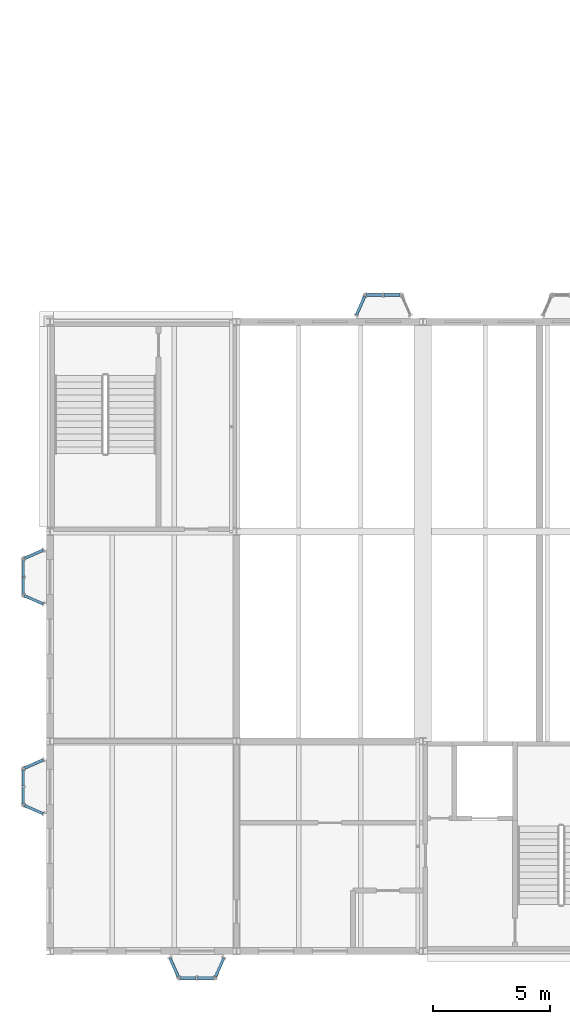
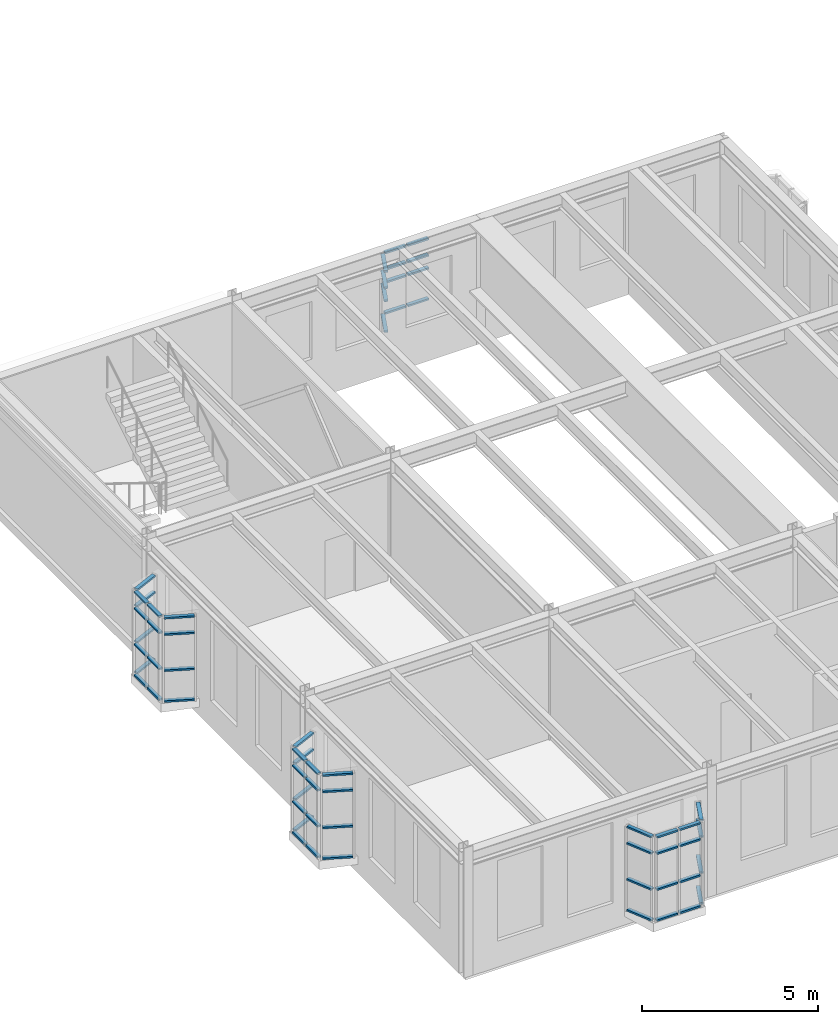
# One storey, part 75 of 153: 60 members, 11 elements without a shape of their own.
"""IFC4 building model written with IfcOpenShell, lengths in metres."""

from ifc_helpers import new_model, si_unit, direction, frame, origin, origin_2d, place, context, subcontext, project, spatial, hollow_rectangle, extrude, material, material_profile, profile_set, type_object, element, aggregate, save


model = new_model("IFC4")

# Units and contexts
model_context = context("Model", 3, precision=1e-05, world=origin(), true_north=direction((0.0, 1.0)))
body_context = subcontext(model_context, "Body", "Model", "MODEL_VIEW")
ifc_project = project(units=[si_unit("LENGTHUNIT", "METRE"), si_unit("AREAUNIT", "SQUARE_METRE"), si_unit("VOLUMEUNIT", "CUBIC_METRE"), si_unit("PLANEANGLEUNIT", "RADIAN"), si_unit("MASSUNIT", "GRAM", prefix="KILO")], contexts=[model_context])

# Site, building, storey
site_placement = place(None, origin())
site = spatial("IfcSite", under=ifc_project, at=site_placement, CompositionType="ELEMENT")
building_placement = place(site_placement, origin())
building = spatial("IfcBuilding", under=site, at=building_placement, Name="Kallimachos Central Library", CompositionType="ELEMENT")
storey_placement = place(building_placement, frame((0.0, 0.0, 5.39990234375)))
storey = spatial("IfcBuildingStorey", under=building, at=storey_placement, Name="L01", CompositionType="ELEMENT", Elevation=5.39990234375)

# Curtain wall, members
ifc_material_1 = material(Name="Laminated glass in anodised aluminium", Category="aluminium")
curtain_wall_type = type_object("IfcCurtainWallType", Name="Foyer curtain wall", PredefinedType="NOTDEFINED", material=ifc_material_1)
curtain_wall_1_placement = place(storey_placement, origin())
curtain_wall_1 = element("IfcCurtainWall", 1, at=curtain_wall_1_placement, inside=storey, type_object=curtain_wall_type, Name="Tribune bay return west", PredefinedType="NOTDEFINED")
ifc_material_2 = material(Name="Anodised aluminium", Category="aluminium")
ifc_material_profile = material_profile(ifc_material_2, hollow_rectangle(XDim=0.06005859375, YDim=0.1201171875, WallThickness=0.00390625, at=origin_2d()), Name="ALU TRANSOM 60x120")
ifc_profile_set = profile_set([ifc_material_profile], Name="Anodised aluminium")
member_type = type_object("IfcMemberType", Name="ALU TRANSOM 60x120 transom", PredefinedType="USERDEFINED", material=ifc_profile_set)
member_1_placement = place(storey_placement, frame((5.695068359375, 23.8994140625, 0.630126953125), z_axis=(-0.913776622619, 0.406217040454, 0.0), x_axis=(0.0, 0.0, 1.0)))
member_1 = element("IfcMember", 2, at=member_1_placement, type_object=member_type, Name="CW transom 1.1", ObjectType="TRANSOM", PredefinedType="USERDEFINED", context=body_context, shape_type="SweptSolid", body=[
    extrude(hollow_rectangle(XDim=0.06005859375, YDim=0.1201171875, WallThickness=0.00390625, at=origin_2d()), origin(), (0.0, 0.0, 1.0), 0.86474609375),
])
member_2_placement = place(storey_placement, frame((5.695068359375, 23.8994140625, 1.7001953125), z_axis=(-0.913776622619, 0.406217040454, 0.0), x_axis=(0.0, 0.0, 1.0)))
member_2 = element("IfcMember", 3, at=member_2_placement, type_object=member_type, Name="CW transom 1.2", ObjectType="TRANSOM", PredefinedType="USERDEFINED", context=body_context, shape_type="SweptSolid", body=[
    extrude(hollow_rectangle(XDim=0.06005859375, YDim=0.1201171875, WallThickness=0.00390625, at=origin_2d()), origin(), (0.0, 0.0, 1.0), 0.86474609375),
])
member_3_placement = place(storey_placement, frame((5.695068359375, 23.8994140625, 2.9501953125), z_axis=(-0.913776622619, 0.406217040454, 0.0), x_axis=(0.0, 0.0, 1.0)))
member_3 = element("IfcMember", 4, at=member_3_placement, type_object=member_type, Name="CW transom 1.3", ObjectType="TRANSOM", PredefinedType="USERDEFINED", context=body_context, shape_type="SweptSolid", body=[
    extrude(hollow_rectangle(XDim=0.06005859375, YDim=0.1201171875, WallThickness=0.00390625, at=origin_2d()), origin(), (0.0, 0.0, 1.0), 0.86474609375),
])
member_4_placement = place(storey_placement, frame((5.695068359375, 23.8994140625, 3.52001953125), z_axis=(-0.913776622619, 0.406217040454, 0.0), x_axis=(0.0, 0.0, 1.0)))
member_4 = element("IfcMember", 5, at=member_4_placement, type_object=member_type, Name="CW transom 1.4", ObjectType="TRANSOM", PredefinedType="USERDEFINED", context=body_context, shape_type="SweptSolid", body=[
    extrude(hollow_rectangle(XDim=0.06005859375, YDim=0.1201171875, WallThickness=0.00390625, at=origin_2d()), origin(), (0.0, 0.0, 1.0), 0.86474609375),
])
aggregate(curtain_wall_1, [member_1, member_2, member_3, member_4])

curtain_wall_2_placement = place(storey_placement, origin())
curtain_wall_2 = element("IfcCurtainWall", 6, at=curtain_wall_2_placement, inside=storey, type_object=curtain_wall_type, Name="Tribune bay front", PredefinedType="NOTDEFINED")
member_5_placement = place(storey_placement, frame((4.85009765625, 24.3349609375, 0.630126953125), z_axis=(0.0, 1.0, 0.0), x_axis=(0.0, 0.0, 1.0)))
member_5 = element("IfcMember", 7, at=member_5_placement, type_object=member_type, Name="CW transom 1.1", ObjectType="TRANSOM", PredefinedType="USERDEFINED", context=body_context, shape_type="SweptSolid", body=[
    extrude(hollow_rectangle(XDim=0.06005859375, YDim=0.1201171875, WallThickness=0.00390625, at=origin_2d()), origin(), (0.0, 0.0, 1.0), 0.68505859375),
])
member_6_placement = place(storey_placement, frame((4.85009765625, 24.3349609375, 1.7001953125), z_axis=(0.0, 1.0, 0.0), x_axis=(0.0, 0.0, 1.0)))
member_6 = element("IfcMember", 8, at=member_6_placement, type_object=member_type, Name="CW transom 1.2", ObjectType="TRANSOM", PredefinedType="USERDEFINED", context=body_context, shape_type="SweptSolid", body=[
    extrude(hollow_rectangle(XDim=0.06005859375, YDim=0.1201171875, WallThickness=0.00390625, at=origin_2d()), origin(), (0.0, 0.0, 1.0), 0.68505859375),
])
member_7_placement = place(storey_placement, frame((4.85009765625, 24.3349609375, 2.9501953125), z_axis=(0.0, 1.0, 0.0), x_axis=(0.0, 0.0, 1.0)))
member_7 = element("IfcMember", 9, at=member_7_placement, type_object=member_type, Name="CW transom 1.3", ObjectType="TRANSOM", PredefinedType="USERDEFINED", context=body_context, shape_type="SweptSolid", body=[
    extrude(hollow_rectangle(XDim=0.06005859375, YDim=0.1201171875, WallThickness=0.00390625, at=origin_2d()), origin(), (0.0, 0.0, 1.0), 0.68505859375),
])
member_8_placement = place(storey_placement, frame((4.85009765625, 24.3349609375, 3.52001953125), z_axis=(0.0, 1.0, 0.0), x_axis=(0.0, 0.0, 1.0)))
member_8 = element("IfcMember", 10, at=member_8_placement, type_object=member_type, Name="CW transom 1.4", ObjectType="TRANSOM", PredefinedType="USERDEFINED", context=body_context, shape_type="SweptSolid", body=[
    extrude(hollow_rectangle(XDim=0.06005859375, YDim=0.1201171875, WallThickness=0.00390625, at=origin_2d()), origin(), (0.0, 0.0, 1.0), 0.68505859375),
])
member_9_placement = place(storey_placement, frame((4.85009765625, 25.080078125, 0.630126953125), z_axis=(0.0, 1.0, 0.0), x_axis=(0.0, 0.0, 1.0)))
member_9 = element("IfcMember", 11, at=member_9_placement, type_object=member_type, Name="CW transom 2.1", ObjectType="TRANSOM", PredefinedType="USERDEFINED", context=body_context, shape_type="SweptSolid", body=[
    extrude(hollow_rectangle(XDim=0.06005859375, YDim=0.1201171875, WallThickness=0.00390625, at=origin_2d()), origin(), (0.0, 0.0, 1.0), 0.684814453125),
])
member_10_placement = place(storey_placement, frame((4.85009765625, 25.080078125, 1.7001953125), z_axis=(0.0, 1.0, 0.0), x_axis=(0.0, 0.0, 1.0)))
member_10 = element("IfcMember", 12, at=member_10_placement, type_object=member_type, Name="CW transom 2.2", ObjectType="TRANSOM", PredefinedType="USERDEFINED", context=body_context, shape_type="SweptSolid", body=[
    extrude(hollow_rectangle(XDim=0.06005859375, YDim=0.1201171875, WallThickness=0.00390625, at=origin_2d()), origin(), (0.0, 0.0, 1.0), 0.684814453125),
])
member_11_placement = place(storey_placement, frame((4.85009765625, 25.080078125, 2.9501953125), z_axis=(0.0, 1.0, 0.0), x_axis=(0.0, 0.0, 1.0)))
member_11 = element("IfcMember", 13, at=member_11_placement, type_object=member_type, Name="CW transom 2.3", ObjectType="TRANSOM", PredefinedType="USERDEFINED", context=body_context, shape_type="SweptSolid", body=[
    extrude(hollow_rectangle(XDim=0.06005859375, YDim=0.1201171875, WallThickness=0.00390625, at=origin_2d()), origin(), (0.0, 0.0, 1.0), 0.684814453125),
])
member_12_placement = place(storey_placement, frame((4.85009765625, 25.080078125, 3.52001953125), z_axis=(0.0, 1.0, 0.0), x_axis=(0.0, 0.0, 1.0)))
member_12 = element("IfcMember", 14, at=member_12_placement, type_object=member_type, Name="CW transom 2.4", ObjectType="TRANSOM", PredefinedType="USERDEFINED", context=body_context, shape_type="SweptSolid", body=[
    extrude(hollow_rectangle(XDim=0.06005859375, YDim=0.1201171875, WallThickness=0.00390625, at=origin_2d()), origin(), (0.0, 0.0, 1.0), 0.684814453125),
])
aggregate(curtain_wall_2, [member_5, member_6, member_7, member_8, member_9, member_10, member_11, member_12])

curtain_wall_3_placement = place(storey_placement, origin())
curtain_wall_3 = element("IfcCurtainWall", 15, at=curtain_wall_3_placement, inside=storey, type_object=curtain_wall_type, Name="Tribune bay return east", PredefinedType="NOTDEFINED")
member_13_placement = place(storey_placement, frame((4.90478515625, 25.849365234375, 0.630126953125), z_axis=(0.913776622619, 0.406217040454, 0.0), x_axis=(0.0, 0.0, 1.0)))
member_13 = element("IfcMember", 16, at=member_13_placement, type_object=member_type, Name="CW transom 1.1", ObjectType="TRANSOM", PredefinedType="USERDEFINED", context=body_context, shape_type="SweptSolid", body=[
    extrude(hollow_rectangle(XDim=0.06005859375, YDim=0.1201171875, WallThickness=0.00390625, at=origin_2d()), origin(), (0.0, 0.0, 1.0), 0.86474609375),
])
member_14_placement = place(storey_placement, frame((4.90478515625, 25.849365234375, 1.7001953125), z_axis=(0.913776622619, 0.406217040454, 0.0), x_axis=(0.0, 0.0, 1.0)))
member_14 = element("IfcMember", 17, at=member_14_placement, type_object=member_type, Name="CW transom 1.2", ObjectType="TRANSOM", PredefinedType="USERDEFINED", context=body_context, shape_type="SweptSolid", body=[
    extrude(hollow_rectangle(XDim=0.06005859375, YDim=0.1201171875, WallThickness=0.00390625, at=origin_2d()), origin(), (0.0, 0.0, 1.0), 0.86474609375),
])
member_15_placement = place(storey_placement, frame((4.90478515625, 25.849365234375, 2.9501953125), z_axis=(0.913776622619, 0.406217040454, 0.0), x_axis=(0.0, 0.0, 1.0)))
member_15 = element("IfcMember", 18, at=member_15_placement, type_object=member_type, Name="CW transom 1.3", ObjectType="TRANSOM", PredefinedType="USERDEFINED", context=body_context, shape_type="SweptSolid", body=[
    extrude(hollow_rectangle(XDim=0.06005859375, YDim=0.1201171875, WallThickness=0.00390625, at=origin_2d()), origin(), (0.0, 0.0, 1.0), 0.86474609375),
])
member_16_placement = place(storey_placement, frame((4.90478515625, 25.849365234375, 3.52001953125), z_axis=(0.913776622619, 0.406217040454, 0.0), x_axis=(0.0, 0.0, 1.0)))
member_16 = element("IfcMember", 19, at=member_16_placement, type_object=member_type, Name="CW transom 1.4", ObjectType="TRANSOM", PredefinedType="USERDEFINED", context=body_context, shape_type="SweptSolid", body=[
    extrude(hollow_rectangle(XDim=0.06005859375, YDim=0.1201171875, WallThickness=0.00390625, at=origin_2d()), origin(), (0.0, 0.0, 1.0), 0.86474609375),
])
aggregate(curtain_wall_3, [member_13, member_14, member_15, member_16])

curtain_wall_4_placement = place(storey_placement, origin())
curtain_wall_4 = element("IfcCurtainWall", 20, at=curtain_wall_4_placement, inside=storey, type_object=curtain_wall_type, Name="Tribune bay return west", PredefinedType="NOTDEFINED")
member_17_placement = place(storey_placement, frame((11.1494140625, 8.695068359375, 0.630126953125), z_axis=(0.406217040454, -0.913776622619, 0.0), x_axis=(0.0, 0.0, 1.0)))
member_17 = element("IfcMember", 21, at=member_17_placement, type_object=member_type, Name="CW transom 1.1", ObjectType="TRANSOM", PredefinedType="USERDEFINED", context=body_context, shape_type="SweptSolid", body=[
    extrude(hollow_rectangle(XDim=0.06005859375, YDim=0.1201171875, WallThickness=0.00390625, at=origin_2d()), origin(), (0.0, 0.0, 1.0), 0.86474609375),
])
member_18_placement = place(storey_placement, frame((11.1494140625, 8.695068359375, 1.7001953125), z_axis=(0.406217040454, -0.913776622619, 0.0), x_axis=(0.0, 0.0, 1.0)))
member_18 = element("IfcMember", 22, at=member_18_placement, type_object=member_type, Name="CW transom 1.2", ObjectType="TRANSOM", PredefinedType="USERDEFINED", context=body_context, shape_type="SweptSolid", body=[
    extrude(hollow_rectangle(XDim=0.06005859375, YDim=0.1201171875, WallThickness=0.00390625, at=origin_2d()), origin(), (0.0, 0.0, 1.0), 0.86474609375),
])
member_19_placement = place(storey_placement, frame((11.1494140625, 8.695068359375, 2.9501953125), z_axis=(0.406217040454, -0.913776622619, 0.0), x_axis=(0.0, 0.0, 1.0)))
member_19 = element("IfcMember", 23, at=member_19_placement, type_object=member_type, Name="CW transom 1.3", ObjectType="TRANSOM", PredefinedType="USERDEFINED", context=body_context, shape_type="SweptSolid", body=[
    extrude(hollow_rectangle(XDim=0.06005859375, YDim=0.1201171875, WallThickness=0.00390625, at=origin_2d()), origin(), (0.0, 0.0, 1.0), 0.86474609375),
])
member_20_placement = place(storey_placement, frame((11.1494140625, 8.695068359375, 3.52001953125), z_axis=(0.406217040454, -0.913776622619, 0.0), x_axis=(0.0, 0.0, 1.0)))
member_20 = element("IfcMember", 24, at=member_20_placement, type_object=member_type, Name="CW transom 1.4", ObjectType="TRANSOM", PredefinedType="USERDEFINED", context=body_context, shape_type="SweptSolid", body=[
    extrude(hollow_rectangle(XDim=0.06005859375, YDim=0.1201171875, WallThickness=0.00390625, at=origin_2d()), origin(), (0.0, 0.0, 1.0), 0.86474609375),
])
aggregate(curtain_wall_4, [member_17, member_18, member_19, member_20])

curtain_wall_5_placement = place(storey_placement, origin())
curtain_wall_5 = element("IfcCurtainWall", 25, at=curtain_wall_5_placement, inside=storey, type_object=curtain_wall_type, Name="Tribune bay front", PredefinedType="NOTDEFINED")
member_21_placement = place(storey_placement, frame((11.5849609375, 7.85009765625, 0.630126953125), z_axis=(1.0, 0.0, 0.0), x_axis=(0.0, 0.0, 1.0)))
member_21 = element("IfcMember", 26, at=member_21_placement, type_object=member_type, Name="CW transom 1.1", ObjectType="TRANSOM", PredefinedType="USERDEFINED", context=body_context, shape_type="SweptSolid", body=[
    extrude(hollow_rectangle(XDim=0.06005859375, YDim=0.1201171875, WallThickness=0.00390625, at=origin_2d()), origin(), (0.0, 0.0, 1.0), 0.68505859375),
])
member_22_placement = place(storey_placement, frame((11.5849609375, 7.85009765625, 1.7001953125), z_axis=(1.0, 0.0, 0.0), x_axis=(0.0, 0.0, 1.0)))
member_22 = element("IfcMember", 27, at=member_22_placement, type_object=member_type, Name="CW transom 1.2", ObjectType="TRANSOM", PredefinedType="USERDEFINED", context=body_context, shape_type="SweptSolid", body=[
    extrude(hollow_rectangle(XDim=0.06005859375, YDim=0.1201171875, WallThickness=0.00390625, at=origin_2d()), origin(), (0.0, 0.0, 1.0), 0.68505859375),
])
member_23_placement = place(storey_placement, frame((11.5849609375, 7.85009765625, 2.9501953125), z_axis=(1.0, 0.0, 0.0), x_axis=(0.0, 0.0, 1.0)))
member_23 = element("IfcMember", 28, at=member_23_placement, type_object=member_type, Name="CW transom 1.3", ObjectType="TRANSOM", PredefinedType="USERDEFINED", context=body_context, shape_type="SweptSolid", body=[
    extrude(hollow_rectangle(XDim=0.06005859375, YDim=0.1201171875, WallThickness=0.00390625, at=origin_2d()), origin(), (0.0, 0.0, 1.0), 0.68505859375),
])
member_24_placement = place(storey_placement, frame((11.5849609375, 7.85009765625, 3.52001953125), z_axis=(1.0, 0.0, 0.0), x_axis=(0.0, 0.0, 1.0)))
member_24 = element("IfcMember", 29, at=member_24_placement, type_object=member_type, Name="CW transom 1.4", ObjectType="TRANSOM", PredefinedType="USERDEFINED", context=body_context, shape_type="SweptSolid", body=[
    extrude(hollow_rectangle(XDim=0.06005859375, YDim=0.1201171875, WallThickness=0.00390625, at=origin_2d()), origin(), (0.0, 0.0, 1.0), 0.68505859375),
])
member_25_placement = place(storey_placement, frame((12.330078125, 7.85009765625, 0.630126953125), z_axis=(1.0, 0.0, 0.0), x_axis=(0.0, 0.0, 1.0)))
member_25 = element("IfcMember", 30, at=member_25_placement, type_object=member_type, Name="CW transom 2.1", ObjectType="TRANSOM", PredefinedType="USERDEFINED", context=body_context, shape_type="SweptSolid", body=[
    extrude(hollow_rectangle(XDim=0.06005859375, YDim=0.1201171875, WallThickness=0.00390625, at=origin_2d()), origin(), (0.0, 0.0, 1.0), 0.684814453125),
])
member_26_placement = place(storey_placement, frame((12.330078125, 7.85009765625, 1.7001953125), z_axis=(1.0, 0.0, 0.0), x_axis=(0.0, 0.0, 1.0)))
member_26 = element("IfcMember", 31, at=member_26_placement, type_object=member_type, Name="CW transom 2.2", ObjectType="TRANSOM", PredefinedType="USERDEFINED", context=body_context, shape_type="SweptSolid", body=[
    extrude(hollow_rectangle(XDim=0.06005859375, YDim=0.1201171875, WallThickness=0.00390625, at=origin_2d()), origin(), (0.0, 0.0, 1.0), 0.684814453125),
])
member_27_placement = place(storey_placement, frame((12.330078125, 7.85009765625, 2.9501953125), z_axis=(1.0, 0.0, 0.0), x_axis=(0.0, 0.0, 1.0)))
member_27 = element("IfcMember", 32, at=member_27_placement, type_object=member_type, Name="CW transom 2.3", ObjectType="TRANSOM", PredefinedType="USERDEFINED", context=body_context, shape_type="SweptSolid", body=[
    extrude(hollow_rectangle(XDim=0.06005859375, YDim=0.1201171875, WallThickness=0.00390625, at=origin_2d()), origin(), (0.0, 0.0, 1.0), 0.684814453125),
])
member_28_placement = place(storey_placement, frame((12.330078125, 7.85009765625, 3.52001953125), z_axis=(1.0, 0.0, 0.0), x_axis=(0.0, 0.0, 1.0)))
member_28 = element("IfcMember", 33, at=member_28_placement, type_object=member_type, Name="CW transom 2.4", ObjectType="TRANSOM", PredefinedType="USERDEFINED", context=body_context, shape_type="SweptSolid", body=[
    extrude(hollow_rectangle(XDim=0.06005859375, YDim=0.1201171875, WallThickness=0.00390625, at=origin_2d()), origin(), (0.0, 0.0, 1.0), 0.684814453125),
])
aggregate(curtain_wall_5, [member_21, member_22, member_23, member_24, member_25, member_26, member_27, member_28])

curtain_wall_6_placement = place(storey_placement, origin())
curtain_wall_6 = element("IfcCurtainWall", 34, at=curtain_wall_6_placement, inside=storey, type_object=curtain_wall_type, Name="Tribune bay return east", PredefinedType="NOTDEFINED")
member_29_placement = place(storey_placement, frame((13.099365234375, 7.90478515625, 0.630126953125), z_axis=(0.406217040454, 0.913776622619, 0.0), x_axis=(0.0, 0.0, 1.0)))
member_29 = element("IfcMember", 35, at=member_29_placement, type_object=member_type, Name="CW transom 1.1", ObjectType="TRANSOM", PredefinedType="USERDEFINED", context=body_context, shape_type="SweptSolid", body=[
    extrude(hollow_rectangle(XDim=0.06005859375, YDim=0.1201171875, WallThickness=0.00390625, at=origin_2d()), origin(), (0.0, 0.0, 1.0), 0.86474609375),
])
member_30_placement = place(storey_placement, frame((13.099365234375, 7.90478515625, 1.7001953125), z_axis=(0.406217040454, 0.913776622619, 0.0), x_axis=(0.0, 0.0, 1.0)))
member_30 = element("IfcMember", 36, at=member_30_placement, type_object=member_type, Name="CW transom 1.2", ObjectType="TRANSOM", PredefinedType="USERDEFINED", context=body_context, shape_type="SweptSolid", body=[
    extrude(hollow_rectangle(XDim=0.06005859375, YDim=0.1201171875, WallThickness=0.00390625, at=origin_2d()), origin(), (0.0, 0.0, 1.0), 0.86474609375),
])
member_31_placement = place(storey_placement, frame((13.099365234375, 7.90478515625, 2.9501953125), z_axis=(0.406217040454, 0.913776622619, 0.0), x_axis=(0.0, 0.0, 1.0)))
member_31 = element("IfcMember", 37, at=member_31_placement, type_object=member_type, Name="CW transom 1.3", ObjectType="TRANSOM", PredefinedType="USERDEFINED", context=body_context, shape_type="SweptSolid", body=[
    extrude(hollow_rectangle(XDim=0.06005859375, YDim=0.1201171875, WallThickness=0.00390625, at=origin_2d()), origin(), (0.0, 0.0, 1.0), 0.86474609375),
])
member_32_placement = place(storey_placement, frame((13.099365234375, 7.90478515625, 3.52001953125), z_axis=(0.406217040454, 0.913776622619, 0.0), x_axis=(0.0, 0.0, 1.0)))
member_32 = element("IfcMember", 38, at=member_32_placement, type_object=member_type, Name="CW transom 1.4", ObjectType="TRANSOM", PredefinedType="USERDEFINED", context=body_context, shape_type="SweptSolid", body=[
    extrude(hollow_rectangle(XDim=0.06005859375, YDim=0.1201171875, WallThickness=0.00390625, at=origin_2d()), origin(), (0.0, 0.0, 1.0), 0.86474609375),
])
aggregate(curtain_wall_6, [member_29, member_30, member_31, member_32])

curtain_wall_7_placement = place(storey_placement, origin())
curtain_wall_7 = element("IfcCurtainWall", 39, at=curtain_wall_7_placement, inside=storey, type_object=curtain_wall_type, Name="Tribune bay return west", PredefinedType="NOTDEFINED")
member_33_placement = place(storey_placement, frame((5.695068359375, 14.8994140625, 0.630126953125), z_axis=(-0.913776622619, 0.406217040454, 0.0), x_axis=(0.0, 0.0, 1.0)))
member_33 = element("IfcMember", 40, at=member_33_placement, type_object=member_type, Name="CW transom 1.1", ObjectType="TRANSOM", PredefinedType="USERDEFINED", context=body_context, shape_type="SweptSolid", body=[
    extrude(hollow_rectangle(XDim=0.06005859375, YDim=0.1201171875, WallThickness=0.00390625, at=origin_2d()), origin(), (0.0, 0.0, 1.0), 0.86474609375),
])
member_34_placement = place(storey_placement, frame((5.695068359375, 14.8994140625, 1.7001953125), z_axis=(-0.913776622619, 0.406217040454, 0.0), x_axis=(0.0, 0.0, 1.0)))
member_34 = element("IfcMember", 41, at=member_34_placement, type_object=member_type, Name="CW transom 1.2", ObjectType="TRANSOM", PredefinedType="USERDEFINED", context=body_context, shape_type="SweptSolid", body=[
    extrude(hollow_rectangle(XDim=0.06005859375, YDim=0.1201171875, WallThickness=0.00390625, at=origin_2d()), origin(), (0.0, 0.0, 1.0), 0.86474609375),
])
member_35_placement = place(storey_placement, frame((5.695068359375, 14.8994140625, 2.9501953125), z_axis=(-0.913776622619, 0.406217040454, 0.0), x_axis=(0.0, 0.0, 1.0)))
member_35 = element("IfcMember", 42, at=member_35_placement, type_object=member_type, Name="CW transom 1.3", ObjectType="TRANSOM", PredefinedType="USERDEFINED", context=body_context, shape_type="SweptSolid", body=[
    extrude(hollow_rectangle(XDim=0.06005859375, YDim=0.1201171875, WallThickness=0.00390625, at=origin_2d()), origin(), (0.0, 0.0, 1.0), 0.86474609375),
])
member_36_placement = place(storey_placement, frame((5.695068359375, 14.8994140625, 3.52001953125), z_axis=(-0.913776622619, 0.406217040454, 0.0), x_axis=(0.0, 0.0, 1.0)))
member_36 = element("IfcMember", 43, at=member_36_placement, type_object=member_type, Name="CW transom 1.4", ObjectType="TRANSOM", PredefinedType="USERDEFINED", context=body_context, shape_type="SweptSolid", body=[
    extrude(hollow_rectangle(XDim=0.06005859375, YDim=0.1201171875, WallThickness=0.00390625, at=origin_2d()), origin(), (0.0, 0.0, 1.0), 0.86474609375),
])
aggregate(curtain_wall_7, [member_33, member_34, member_35, member_36])

curtain_wall_8_placement = place(storey_placement, origin())
curtain_wall_8 = element("IfcCurtainWall", 44, at=curtain_wall_8_placement, inside=storey, type_object=curtain_wall_type, Name="Tribune bay front", PredefinedType="NOTDEFINED")
member_37_placement = place(storey_placement, frame((4.85009765625, 15.3349609375, 0.630126953125), z_axis=(0.0, 1.0, 0.0), x_axis=(0.0, 0.0, 1.0)))
member_37 = element("IfcMember", 45, at=member_37_placement, type_object=member_type, Name="CW transom 1.1", ObjectType="TRANSOM", PredefinedType="USERDEFINED", context=body_context, shape_type="SweptSolid", body=[
    extrude(hollow_rectangle(XDim=0.06005859375, YDim=0.1201171875, WallThickness=0.00390625, at=origin_2d()), origin(), (0.0, 0.0, 1.0), 0.68505859375),
])
member_38_placement = place(storey_placement, frame((4.85009765625, 15.3349609375, 1.7001953125), z_axis=(0.0, 1.0, 0.0), x_axis=(0.0, 0.0, 1.0)))
member_38 = element("IfcMember", 46, at=member_38_placement, type_object=member_type, Name="CW transom 1.2", ObjectType="TRANSOM", PredefinedType="USERDEFINED", context=body_context, shape_type="SweptSolid", body=[
    extrude(hollow_rectangle(XDim=0.06005859375, YDim=0.1201171875, WallThickness=0.00390625, at=origin_2d()), origin(), (0.0, 0.0, 1.0), 0.68505859375),
])
member_39_placement = place(storey_placement, frame((4.85009765625, 15.3349609375, 2.9501953125), z_axis=(0.0, 1.0, 0.0), x_axis=(0.0, 0.0, 1.0)))
member_39 = element("IfcMember", 47, at=member_39_placement, type_object=member_type, Name="CW transom 1.3", ObjectType="TRANSOM", PredefinedType="USERDEFINED", context=body_context, shape_type="SweptSolid", body=[
    extrude(hollow_rectangle(XDim=0.06005859375, YDim=0.1201171875, WallThickness=0.00390625, at=origin_2d()), origin(), (0.0, 0.0, 1.0), 0.68505859375),
])
member_40_placement = place(storey_placement, frame((4.85009765625, 15.3349609375, 3.52001953125), z_axis=(0.0, 1.0, 0.0), x_axis=(0.0, 0.0, 1.0)))
member_40 = element("IfcMember", 48, at=member_40_placement, type_object=member_type, Name="CW transom 1.4", ObjectType="TRANSOM", PredefinedType="USERDEFINED", context=body_context, shape_type="SweptSolid", body=[
    extrude(hollow_rectangle(XDim=0.06005859375, YDim=0.1201171875, WallThickness=0.00390625, at=origin_2d()), origin(), (0.0, 0.0, 1.0), 0.68505859375),
])
member_41_placement = place(storey_placement, frame((4.85009765625, 16.080078125, 0.630126953125), z_axis=(0.0, 1.0, 0.0), x_axis=(0.0, 0.0, 1.0)))
member_41 = element("IfcMember", 49, at=member_41_placement, type_object=member_type, Name="CW transom 2.1", ObjectType="TRANSOM", PredefinedType="USERDEFINED", context=body_context, shape_type="SweptSolid", body=[
    extrude(hollow_rectangle(XDim=0.06005859375, YDim=0.1201171875, WallThickness=0.00390625, at=origin_2d()), origin(), (0.0, 0.0, 1.0), 0.684814453125),
])
member_42_placement = place(storey_placement, frame((4.85009765625, 16.080078125, 1.7001953125), z_axis=(0.0, 1.0, 0.0), x_axis=(0.0, 0.0, 1.0)))
member_42 = element("IfcMember", 50, at=member_42_placement, type_object=member_type, Name="CW transom 2.2", ObjectType="TRANSOM", PredefinedType="USERDEFINED", context=body_context, shape_type="SweptSolid", body=[
    extrude(hollow_rectangle(XDim=0.06005859375, YDim=0.1201171875, WallThickness=0.00390625, at=origin_2d()), origin(), (0.0, 0.0, 1.0), 0.684814453125),
])
member_43_placement = place(storey_placement, frame((4.85009765625, 16.080078125, 2.9501953125), z_axis=(0.0, 1.0, 0.0), x_axis=(0.0, 0.0, 1.0)))
member_43 = element("IfcMember", 51, at=member_43_placement, type_object=member_type, Name="CW transom 2.3", ObjectType="TRANSOM", PredefinedType="USERDEFINED", context=body_context, shape_type="SweptSolid", body=[
    extrude(hollow_rectangle(XDim=0.06005859375, YDim=0.1201171875, WallThickness=0.00390625, at=origin_2d()), origin(), (0.0, 0.0, 1.0), 0.684814453125),
])
member_44_placement = place(storey_placement, frame((4.85009765625, 16.080078125, 3.52001953125), z_axis=(0.0, 1.0, 0.0), x_axis=(0.0, 0.0, 1.0)))
member_44 = element("IfcMember", 52, at=member_44_placement, type_object=member_type, Name="CW transom 2.4", ObjectType="TRANSOM", PredefinedType="USERDEFINED", context=body_context, shape_type="SweptSolid", body=[
    extrude(hollow_rectangle(XDim=0.06005859375, YDim=0.1201171875, WallThickness=0.00390625, at=origin_2d()), origin(), (0.0, 0.0, 1.0), 0.684814453125),
])
aggregate(curtain_wall_8, [member_37, member_38, member_39, member_40, member_41, member_42, member_43, member_44])

curtain_wall_9_placement = place(storey_placement, origin())
curtain_wall_9 = element("IfcCurtainWall", 53, at=curtain_wall_9_placement, inside=storey, type_object=curtain_wall_type, Name="Tribune bay return east", PredefinedType="NOTDEFINED")
member_45_placement = place(storey_placement, frame((4.90478515625, 16.849365234375, 0.630126953125), z_axis=(0.913776622619, 0.406217040454, 0.0), x_axis=(0.0, 0.0, 1.0)))
member_45 = element("IfcMember", 54, at=member_45_placement, type_object=member_type, Name="CW transom 1.1", ObjectType="TRANSOM", PredefinedType="USERDEFINED", context=body_context, shape_type="SweptSolid", body=[
    extrude(hollow_rectangle(XDim=0.06005859375, YDim=0.1201171875, WallThickness=0.00390625, at=origin_2d()), origin(), (0.0, 0.0, 1.0), 0.86474609375),
])
member_46_placement = place(storey_placement, frame((4.90478515625, 16.849365234375, 1.7001953125), z_axis=(0.913776622619, 0.406217040454, 0.0), x_axis=(0.0, 0.0, 1.0)))
member_46 = element("IfcMember", 55, at=member_46_placement, type_object=member_type, Name="CW transom 1.2", ObjectType="TRANSOM", PredefinedType="USERDEFINED", context=body_context, shape_type="SweptSolid", body=[
    extrude(hollow_rectangle(XDim=0.06005859375, YDim=0.1201171875, WallThickness=0.00390625, at=origin_2d()), origin(), (0.0, 0.0, 1.0), 0.86474609375),
])
member_47_placement = place(storey_placement, frame((4.90478515625, 16.849365234375, 2.9501953125), z_axis=(0.913776622619, 0.406217040454, 0.0), x_axis=(0.0, 0.0, 1.0)))
member_47 = element("IfcMember", 56, at=member_47_placement, type_object=member_type, Name="CW transom 1.3", ObjectType="TRANSOM", PredefinedType="USERDEFINED", context=body_context, shape_type="SweptSolid", body=[
    extrude(hollow_rectangle(XDim=0.06005859375, YDim=0.1201171875, WallThickness=0.00390625, at=origin_2d()), origin(), (0.0, 0.0, 1.0), 0.86474609375),
])
member_48_placement = place(storey_placement, frame((4.90478515625, 16.849365234375, 3.52001953125), z_axis=(0.913776622619, 0.406217040454, 0.0), x_axis=(0.0, 0.0, 1.0)))
member_48 = element("IfcMember", 57, at=member_48_placement, type_object=member_type, Name="CW transom 1.4", ObjectType="TRANSOM", PredefinedType="USERDEFINED", context=body_context, shape_type="SweptSolid", body=[
    extrude(hollow_rectangle(XDim=0.06005859375, YDim=0.1201171875, WallThickness=0.00390625, at=origin_2d()), origin(), (0.0, 0.0, 1.0), 0.86474609375),
])
aggregate(curtain_wall_9, [member_45, member_46, member_47, member_48])

curtain_wall_10_placement = place(storey_placement, origin())
curtain_wall_10 = element("IfcCurtainWall", 58, at=curtain_wall_10_placement, inside=storey, type_object=curtain_wall_type, Name="Tribune bay return west", PredefinedType="NOTDEFINED")
member_49_placement = place(storey_placement, frame((19.1494140625, 36.304931640625, 1.130126953125), z_axis=(0.406217040454, 0.913776622619, 0.0), x_axis=(0.0, 0.0, 1.0)))
member_49 = element("IfcMember", 59, at=member_49_placement, type_object=member_type, Name="CW transom 1.1", ObjectType="TRANSOM", PredefinedType="USERDEFINED", context=body_context, shape_type="SweptSolid", body=[
    extrude(hollow_rectangle(XDim=0.06005859375, YDim=0.1201171875, WallThickness=0.00390625, at=origin_2d()), origin(), (0.0, 0.0, 1.0), 0.86474609375),
])
member_50_placement = place(storey_placement, frame((19.1494140625, 36.304931640625, 2.2001953125), z_axis=(0.406217040454, 0.913776622619, 0.0), x_axis=(0.0, 0.0, 1.0)))
member_50 = element("IfcMember", 60, at=member_50_placement, type_object=member_type, Name="CW transom 1.2", ObjectType="TRANSOM", PredefinedType="USERDEFINED", context=body_context, shape_type="SweptSolid", body=[
    extrude(hollow_rectangle(XDim=0.06005859375, YDim=0.1201171875, WallThickness=0.00390625, at=origin_2d()), origin(), (0.0, 0.0, 1.0), 0.86474609375),
])
member_51_placement = place(storey_placement, frame((19.1494140625, 36.304931640625, 2.650146484375), z_axis=(0.406217040454, 0.913776622619, 0.0), x_axis=(0.0, 0.0, 1.0)))
member_51 = element("IfcMember", 61, at=member_51_placement, type_object=member_type, Name="CW transom 1.3", ObjectType="TRANSOM", PredefinedType="USERDEFINED", context=body_context, shape_type="SweptSolid", body=[
    extrude(hollow_rectangle(XDim=0.06005859375, YDim=0.1201171875, WallThickness=0.00390625, at=origin_2d()), origin(), (0.0, 0.0, 1.0), 0.86474609375),
])
member_52_placement = place(storey_placement, frame((19.1494140625, 36.304931640625, 3.22021484375), z_axis=(0.406217040454, 0.913776622619, 0.0), x_axis=(0.0, 0.0, 1.0)))
member_52 = element("IfcMember", 62, at=member_52_placement, type_object=member_type, Name="CW transom 1.4", ObjectType="TRANSOM", PredefinedType="USERDEFINED", context=body_context, shape_type="SweptSolid", body=[
    extrude(hollow_rectangle(XDim=0.06005859375, YDim=0.1201171875, WallThickness=0.00390625, at=origin_2d()), origin(), (0.0, 0.0, 1.0), 0.86474609375),
])
aggregate(curtain_wall_10, [member_49, member_50, member_51, member_52])

curtain_wall_11_placement = place(storey_placement, origin())
curtain_wall_11 = element("IfcCurtainWall", 63, at=curtain_wall_11_placement, inside=storey, type_object=curtain_wall_type, Name="Tribune bay front", PredefinedType="NOTDEFINED")
member_53_placement = place(storey_placement, frame((19.5849609375, 37.14990234375, 1.130126953125), z_axis=(1.0, 0.0, 0.0), x_axis=(0.0, 0.0, 1.0)))
member_53 = element("IfcMember", 64, at=member_53_placement, type_object=member_type, Name="CW transom 1.1", ObjectType="TRANSOM", PredefinedType="USERDEFINED", context=body_context, shape_type="SweptSolid", body=[
    extrude(hollow_rectangle(XDim=0.06005859375, YDim=0.1201171875, WallThickness=0.00390625, at=origin_2d()), origin(), (0.0, 0.0, 1.0), 0.68505859375),
])
member_54_placement = place(storey_placement, frame((19.5849609375, 37.14990234375, 2.2001953125), z_axis=(1.0, 0.0, 0.0), x_axis=(0.0, 0.0, 1.0)))
member_54 = element("IfcMember", 65, at=member_54_placement, type_object=member_type, Name="CW transom 1.2", ObjectType="TRANSOM", PredefinedType="USERDEFINED", context=body_context, shape_type="SweptSolid", body=[
    extrude(hollow_rectangle(XDim=0.06005859375, YDim=0.1201171875, WallThickness=0.00390625, at=origin_2d()), origin(), (0.0, 0.0, 1.0), 0.68505859375),
])
member_55_placement = place(storey_placement, frame((19.5849609375, 37.14990234375, 2.650146484375), z_axis=(1.0, 0.0, 0.0), x_axis=(0.0, 0.0, 1.0)))
member_55 = element("IfcMember", 66, at=member_55_placement, type_object=member_type, Name="CW transom 1.3", ObjectType="TRANSOM", PredefinedType="USERDEFINED", context=body_context, shape_type="SweptSolid", body=[
    extrude(hollow_rectangle(XDim=0.06005859375, YDim=0.1201171875, WallThickness=0.00390625, at=origin_2d()), origin(), (0.0, 0.0, 1.0), 0.68505859375),
])
member_56_placement = place(storey_placement, frame((19.5849609375, 37.14990234375, 3.22021484375), z_axis=(1.0, 0.0, 0.0), x_axis=(0.0, 0.0, 1.0)))
member_56 = element("IfcMember", 67, at=member_56_placement, type_object=member_type, Name="CW transom 1.4", ObjectType="TRANSOM", PredefinedType="USERDEFINED", context=body_context, shape_type="SweptSolid", body=[
    extrude(hollow_rectangle(XDim=0.06005859375, YDim=0.1201171875, WallThickness=0.00390625, at=origin_2d()), origin(), (0.0, 0.0, 1.0), 0.68505859375),
])
member_57_placement = place(storey_placement, frame((20.330078125, 37.14990234375, 1.130126953125), z_axis=(1.0, 0.0, 0.0), x_axis=(0.0, 0.0, 1.0)))
member_57 = element("IfcMember", 68, at=member_57_placement, type_object=member_type, Name="CW transom 2.1", ObjectType="TRANSOM", PredefinedType="USERDEFINED", context=body_context, shape_type="SweptSolid", body=[
    extrude(hollow_rectangle(XDim=0.06005859375, YDim=0.1201171875, WallThickness=0.00390625, at=origin_2d()), origin(), (0.0, 0.0, 1.0), 0.684814453125),
])
member_58_placement = place(storey_placement, frame((20.330078125, 37.14990234375, 2.2001953125), z_axis=(1.0, 0.0, 0.0), x_axis=(0.0, 0.0, 1.0)))
member_58 = element("IfcMember", 69, at=member_58_placement, type_object=member_type, Name="CW transom 2.2", ObjectType="TRANSOM", PredefinedType="USERDEFINED", context=body_context, shape_type="SweptSolid", body=[
    extrude(hollow_rectangle(XDim=0.06005859375, YDim=0.1201171875, WallThickness=0.00390625, at=origin_2d()), origin(), (0.0, 0.0, 1.0), 0.684814453125),
])
member_59_placement = place(storey_placement, frame((20.330078125, 37.14990234375, 2.650146484375), z_axis=(1.0, 0.0, 0.0), x_axis=(0.0, 0.0, 1.0)))
member_59 = element("IfcMember", 70, at=member_59_placement, type_object=member_type, Name="CW transom 2.3", ObjectType="TRANSOM", PredefinedType="USERDEFINED", context=body_context, shape_type="SweptSolid", body=[
    extrude(hollow_rectangle(XDim=0.06005859375, YDim=0.1201171875, WallThickness=0.00390625, at=origin_2d()), origin(), (0.0, 0.0, 1.0), 0.684814453125),
])
member_60_placement = place(storey_placement, frame((20.330078125, 37.14990234375, 3.22021484375), z_axis=(1.0, 0.0, 0.0), x_axis=(0.0, 0.0, 1.0)))
member_60 = element("IfcMember", 71, at=member_60_placement, type_object=member_type, Name="CW transom 2.4", ObjectType="TRANSOM", PredefinedType="USERDEFINED", context=body_context, shape_type="SweptSolid", body=[
    extrude(hollow_rectangle(XDim=0.06005859375, YDim=0.1201171875, WallThickness=0.00390625, at=origin_2d()), origin(), (0.0, 0.0, 1.0), 0.684814453125),
])
aggregate(curtain_wall_11, [member_53, member_54, member_55, member_56, member_57, member_58, member_59, member_60])

save(model, "model.ifc")
